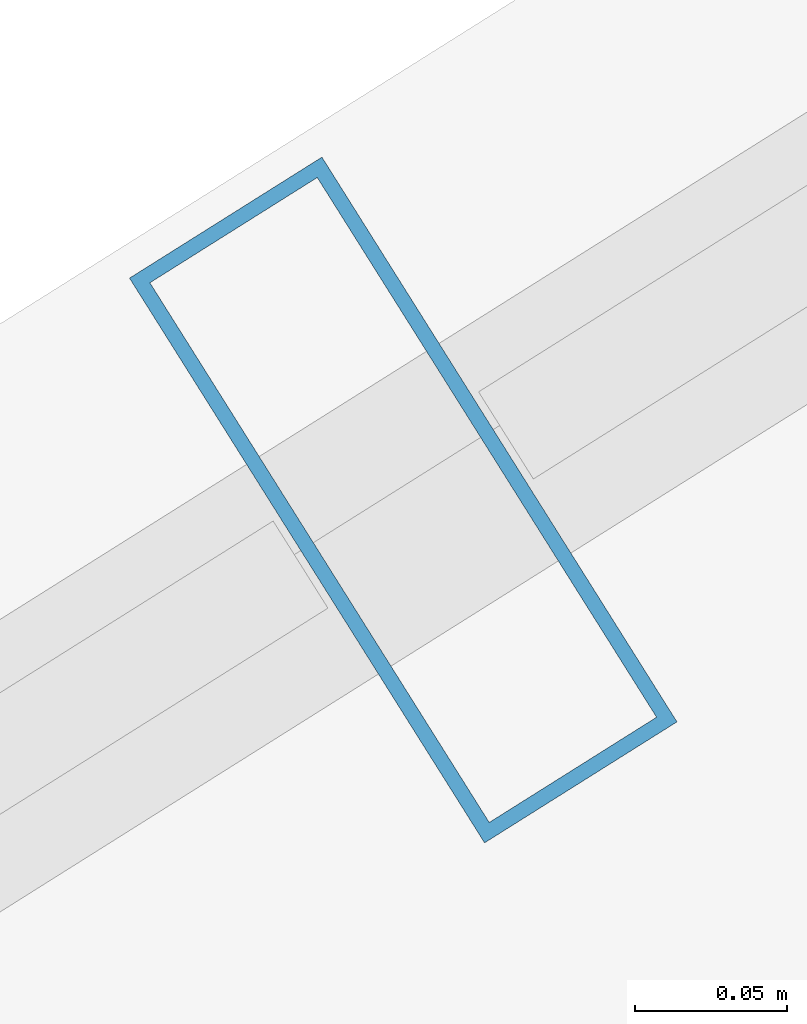
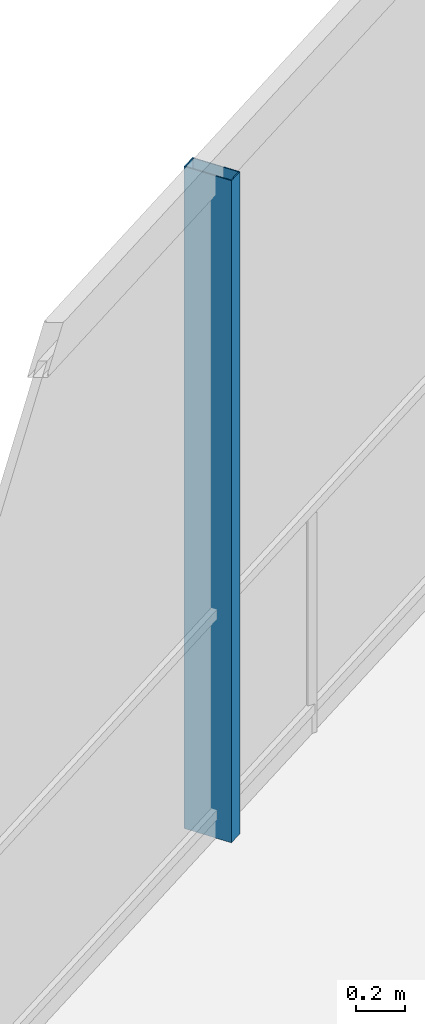
# One storey, part 10 of 19: 1 member, 1 element without a shape of its own.
"""IFC4 building model written with IfcOpenShell, lengths in metres."""

from ifc_helpers import new_model, si_unit, direction, frame, origin, origin_2d, place, context, subcontext, project, spatial, hollow_rectangle, extrude, material, layer, layer_set, material_profile, profile_set, type_object, element, aggregate, save


model = new_model("IFC4")

# Units and contexts
model_context = context("Model", 3, precision=1e-05, world=origin(), true_north=direction((0.0, 1.0)))
body_context = subcontext(model_context, "Body", "Model", "MODEL_VIEW")
ifc_project = project(units=[si_unit("LENGTHUNIT", "METRE"), si_unit("AREAUNIT", "SQUARE_METRE"), si_unit("VOLUMEUNIT", "CUBIC_METRE"), si_unit("PLANEANGLEUNIT", "RADIAN"), si_unit("MASSUNIT", "GRAM", prefix="KILO")], contexts=[model_context])

# Site, building, storey
site_placement = place(None, origin())
site = spatial("IfcSite", under=ifc_project, at=site_placement, CompositionType="ELEMENT")
building_placement = place(site_placement, origin())
building = spatial("IfcBuilding", under=site, at=building_placement, Name="Qarnah Convention Tower", CompositionType="ELEMENT")
storey_placement = place(building_placement, frame((0.0, 0.0, 187.800048828125)))
storey = spatial("IfcBuildingStorey", under=building, at=storey_placement, Name="L50", CompositionType="ELEMENT", Elevation=187.800048828125)

# Curtain wall, member
ifc_material_1 = material(Name="Tempered Low-E dark glass", Category="glass")
ifc_layer = layer(ifc_material_1, 0.174072265625)
ifc_layer_set = layer_set([ifc_layer], Name="Tempered Low-E dark glass")
curtain_wall_type = type_object("IfcCurtainWallType", Name="CWS-04", PredefinedType="NOTDEFINED", material=ifc_layer_set)
curtain_wall_placement = place(storey_placement, origin())
curtain_wall = element("IfcCurtainWall", 1, at=curtain_wall_placement, inside=storey, type_object=curtain_wall_type, Name="L50 unitised curtain wall CW-L50-F3", PredefinedType="NOTDEFINED")
ifc_material_2 = material(Name="Black anodised aluminium", Category="aluminium")
ifc_material_profile = material_profile(ifc_material_2, hollow_rectangle(XDim=0.074951171875, YDim=0.219970703125, WallThickness=0.0048828125, at=origin_2d()), Name="MUL-75X220")
ifc_profile_set = profile_set([ifc_material_profile], Name="Black anodised aluminium")
member_type = type_object("IfcMemberType", Name="MUL-T4", PredefinedType="MULLION", material=ifc_profile_set)
member_placement = place(storey_placement, frame((26.2919921875, 38.398681640625, 0.0), z_axis=(0.0, 0.0, 1.0), x_axis=(0.846567866925, 0.532280796845, 0.0)))
member = element("IfcMember", 2, at=member_placement, type_object=member_type, Name="CW-L50-F3 mullion 3", PredefinedType="MULLION", context=body_context, shape_type="SweptSolid", body=[
    extrude(hollow_rectangle(XDim=0.074951171875, YDim=0.219970703125, WallThickness=0.0048828125, at=origin_2d()), origin(), (0.0, 0.0, 1.0), 3.320068359375),
])
aggregate(curtain_wall, [member])

save(model, "model.ifc")
